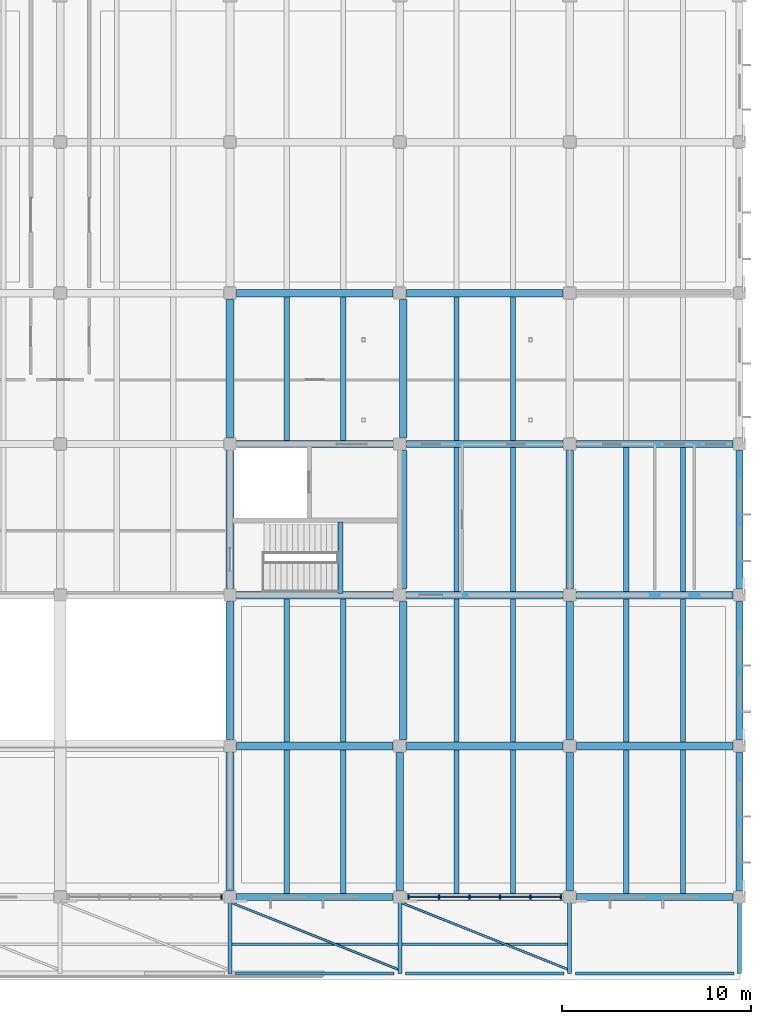
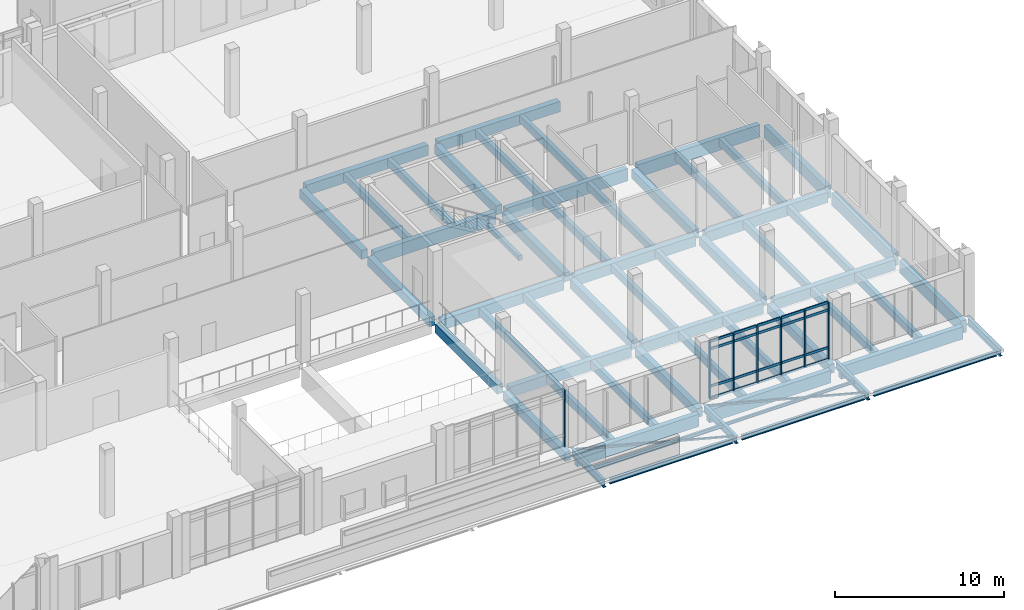
# One storey, part 37 of 110: 58 beams, 29 members, 2 elements without a shape of their own.
"""IFC4 building model written with IfcOpenShell, lengths in metres."""

import ifcopenshell
import ifcopenshell.guid

model = None  # the IFC model being written
_history = None  # IfcOwnerHistory: only IFC2X3 demands one
_inside = {}  # id of a spatial element -> (the spatial element, [elements in it])
_under = {}  # id of a project, library or spatial element -> (it, [spatial elements below it])
_declared = {}  # id of a project -> (the project, [libraries it declares])
_typed = {}  # id of a type object -> (the type object, [elements of that type])
_made_of = {}  # id of a material, layer set ... -> (it, [elements and type objects made of it])


def new_model(schema):
    """Start an empty IFC model of exactly this schema.

    Asked for "IFC4X3", IfcOpenShell would pick the latest addendum, in which some entities
    have other attributes; the version numbers below select the first issue.
    IFC2X3 requires an IfcOwnerHistory on every rooted entity: one is made here for all.
    """
    global model, _history
    if schema == "IFC4X3":
        model = ifcopenshell.file(schema_version=(4, 3, 0, 0))
    else:
        model = ifcopenshell.file(schema=schema)
    _inside.clear()
    _under.clear()
    _declared.clear()
    _typed.clear()
    _made_of.clear()
    _history = None
    if model.schema == "IFC2X3":
        org = make("IfcOrganization", Name="unknown")
        user = make(
            "IfcPersonAndOrganization",
            ThePerson=make("IfcPerson", FamilyName="unknown"),
            TheOrganization=org,
        )
        app = make(
            "IfcApplication",
            ApplicationDeveloper=org,
            Version="unknown",
            ApplicationFullName="unknown",
            ApplicationIdentifier="unknown",
        )
        _history = make(
            "IfcOwnerHistory",
            OwningUser=user,
            OwningApplication=app,
            ChangeAction="ADDED",
            CreationDate=0,
        )
    return model


def make(cls, **values):
    """One entity of the class cls with the attributes given. An attribute that is None is left unset."""
    return model.create_entity(
        cls, **{name: value for name, value in values.items() if value is not None}
    )


def rooted(cls, **values):
    """An entity with a GlobalId (a new one), such as an element, a storey or a relation."""
    return make(cls, GlobalId=ifcopenshell.guid.new(), OwnerHistory=_history, **values)


def si_unit(unit_type, name, prefix=None):
    """IfcSIUnit, for example si_unit("LENGTHUNIT", "METRE", prefix="MILLI")."""
    return make("IfcSIUnit", UnitType=unit_type, Prefix=prefix, Name=name)


def assignment(units):
    """IfcUnitAssignment: the units of a project."""
    return None if units is None else make("IfcUnitAssignment", Units=units)


def point(xyz):
    """IfcCartesianPoint."""
    return None if xyz is None else make("IfcCartesianPoint", Coordinates=xyz)


def direction(xyz):
    """IfcDirection."""
    return None if xyz is None else make("IfcDirection", DirectionRatios=xyz)


def frame(location, z_axis=None, x_axis=None):
    """IfcAxis2Placement3D, a coordinate frame: its origin and axes. An axis left out is left unset."""
    return make(
        "IfcAxis2Placement3D",
        Location=point(location),
        Axis=direction(z_axis),
        RefDirection=direction(x_axis),
    )


def frame_2d(location, x_axis=None):
    """IfcAxis2Placement2D, a coordinate frame in the plane: its origin and x axis."""
    return make(
        "IfcAxis2Placement2D", Location=point(location), RefDirection=direction(x_axis)
    )


def origin():
    """The frame at (0, 0, 0) with its axes left unset."""
    return frame((0.0, 0.0, 0.0))


def origin_2d():
    """The frame at (0, 0) in the plane with its x axis left unset."""
    return frame_2d((0.0, 0.0))


def place(relative_to, where):
    """IfcLocalPlacement: puts the frame where relative to a parent placement (None: the world)."""
    return make(
        "IfcLocalPlacement", PlacementRelTo=relative_to, RelativePlacement=where
    )


def context(
    kind, dimensions, precision=None, world=None, true_north=None, identifier=None
):
    """IfcGeometricRepresentationContext, for example the 3D "Model" context."""
    return make(
        "IfcGeometricRepresentationContext",
        ContextIdentifier=identifier,
        ContextType=kind,
        CoordinateSpaceDimension=dimensions,
        Precision=precision,
        WorldCoordinateSystem=world,
        TrueNorth=true_north,
    )


def subcontext(parent, identifier, kind, view, scale=None):
    """IfcGeometricRepresentationSubContext, for example "Body" below "Model"."""
    return make(
        "IfcGeometricRepresentationSubContext",
        ContextIdentifier=identifier,
        ContextType=kind,
        ParentContext=parent,
        TargetScale=scale,
        TargetView=view,
    )


def project(units=None, contexts=None):
    """IfcProject with its units and contexts."""
    return rooted(
        "IfcProject",
        Name="project",
        RepresentationContexts=contexts,
        UnitsInContext=assignment(units),
    )


def spatial(cls, under=None, at=None, **own):
    """A site, building, storey or space (cls), placed at a placement, below another one or the project."""
    s = rooted(cls, ObjectPlacement=at, **own)
    if under is not None:
        _under.setdefault(under.id(), (under, []))[1].append(s)
    return s


def profile(cls, at=None, kind="AREA", **sizes):
    """A parametric profile (cls). Its sizes go by their IFC names, for example OverallWidth=200.0."""
    return make(cls, ProfileType=kind, Position=at, **sizes)


def rectangle(**sizes):
    """IfcRectangleProfileDef."""
    return profile("IfcRectangleProfileDef", **sizes)


def hollow_rectangle(**sizes):
    """IfcRectangleHollowProfileDef."""
    return profile("IfcRectangleHollowProfileDef", **sizes)


def i_section(**sizes):
    """IfcIShapeProfileDef."""
    return profile("IfcIShapeProfileDef", **sizes)


def extrude(swept, where, along, depth):
    """IfcExtrudedAreaSolid: the profile swept, set in the frame where, extruded along a direction by depth."""
    return make(
        "IfcExtrudedAreaSolid",
        SweptArea=swept,
        Position=where,
        ExtrudedDirection=direction(along),
        Depth=depth,
    )


def shape(context_of_items, identifier, shape_type, items):
    """IfcShapeRepresentation: the items that make up one representation, for example the "Body"."""
    return make(
        "IfcShapeRepresentation",
        ContextOfItems=context_of_items,
        RepresentationIdentifier=identifier,
        RepresentationType=shape_type,
        Items=items,
    )


def material(Name=None, Category=None):
    """IfcMaterial."""
    return make("IfcMaterial", Name=Name, Category=Category)


def layer(
    of_material, thickness, ventilated=None, Name=None, Category=None, Priority=None
):
    """IfcMaterialLayer: one layer of a wall or slab, of a material (None: an air gap)."""
    return make(
        "IfcMaterialLayer",
        Material=of_material,
        LayerThickness=thickness,
        IsVentilated=ventilated,
        Name=Name,
        Category=Category,
        Priority=Priority,
    )


def layer_set(layers, Name=None):
    """IfcMaterialLayerSet."""
    return make("IfcMaterialLayerSet", MaterialLayers=layers, LayerSetName=Name)


def material_profile(
    of_material, cross_section, Name=None, Category=None, Priority=None
):
    """IfcMaterialProfile: a cross section and its material."""
    return make(
        "IfcMaterialProfile",
        Name=Name,
        Material=of_material,
        Profile=cross_section,
        Priority=Priority,
        Category=Category,
    )


def profile_set(profiles, Name=None, composite=None):
    """IfcMaterialProfileSet."""
    return make(
        "IfcMaterialProfileSet",
        Name=Name,
        MaterialProfiles=profiles,
        CompositeProfile=composite,
    )


def made_of(thing, what):
    """Note that an element or type object is made of a material, layer set ...; save() writes the relation."""
    if what is not None:
        _made_of.setdefault(what.id(), (what, []))[1].append(thing)
    return thing


def type_object(cls, material=None, **own):
    """A type object (cls), such as IfcWallType, which elements share."""
    return made_of(rooted(cls, **own), material)


def element(
    cls,
    number,
    at=None,
    inside=None,
    cuts=None,
    type_object=None,
    material=None,
    context=None,
    identifier="Body",
    shape_type=None,
    held_by="IfcProductDefinitionShape",
    body=None,
    shapes=None,
    **own,
):
    """One element of the class cls, such as IfcWall. Its Tag is "e" and its number.

    at: its placement. inside: the storey or other place that contains it. cuts: it is an
    opening in that element (IfcRelVoidsElement). A single representation is given by context,
    identifier, shape_type and body (its items); several are given by shapes. held_by: the class
    of the entity that holds the representations. save() writes the other relations.
    """
    e = rooted(cls, Tag="e%d" % number, ObjectPlacement=at, **own)
    if body is not None:
        shapes = [shape(context, identifier, shape_type, body)]
    if shapes is not None:
        e.Representation = make(held_by, Representations=shapes)
    if inside is not None:
        _inside.setdefault(inside.id(), (inside, []))[1].append(e)
    if cuts is not None:
        rooted(
            "IfcRelVoidsElement", RelatingBuildingElement=cuts, RelatedOpeningElement=e
        )
    if type_object is not None:
        _typed.setdefault(type_object.id(), (type_object, []))[1].append(e)
    return made_of(e, material)


def aggregate(whole, parts):
    """IfcRelAggregates: a whole, such as a stair, and the parts it consists of."""
    return rooted("IfcRelAggregates", RelatingObject=whole, RelatedObjects=parts)


def save(model, path):
    """Write the relations noted so far, then the file.

    IfcRelAggregates (storeys below a building ...), IfcRelContainedInSpatialStructure (elements
    in a storey), IfcRelDefinesByType, IfcRelAssociatesMaterial and IfcRelDeclares: one each for
    every whole, place, type object, material and project.
    """
    for whole, parts in _under.values():
        aggregate(whole, parts)
    for where, things in _inside.values():
        rooted(
            "IfcRelContainedInSpatialStructure",
            RelatedElements=things,
            RelatingStructure=where,
        )
    for kind, things in _typed.values():
        rooted("IfcRelDefinesByType", RelatedObjects=things, RelatingType=kind)
    for what, things in _made_of.values():
        rooted("IfcRelAssociatesMaterial", RelatedObjects=things, RelatingMaterial=what)
    for by, libraries in _declared.values():
        rooted("IfcRelDeclares", RelatingContext=by, RelatedDefinitions=libraries)
    model.write(path)


model = new_model("IFC4")

# Units and contexts
model_context = context("Model", 3, precision=1e-05, world=origin(), true_north=direction((0.0, 1.0)))
body_context = subcontext(model_context, "Body", "Model", "MODEL_VIEW")
ifc_project = project(units=[si_unit("LENGTHUNIT", "METRE"), si_unit("AREAUNIT", "SQUARE_METRE"), si_unit("VOLUMEUNIT", "CUBIC_METRE"), si_unit("PLANEANGLEUNIT", "RADIAN"), si_unit("MASSUNIT", "GRAM", prefix="KILO")], contexts=[model_context])

# Site, building, storey
site_placement = place(None, origin())
site = spatial("IfcSite", under=ifc_project, at=site_placement, CompositionType="ELEMENT")
building_placement = place(site_placement, origin())
building = spatial("IfcBuilding", under=site, at=building_placement, Name="Zacnel Wholesale Market", CompositionType="ELEMENT")
storey_placement = place(building_placement, frame((0.0, 0.0, 6.300048828125)))
storey = spatial("IfcBuildingStorey", under=building, at=storey_placement, Name="L02", CompositionType="ELEMENT", Elevation=6.300048828125)

# Beams
ifc_material_1 = material(Name="Precast concrete C45/55", Category="concrete")
ifc_material_profile_1 = material_profile(ifc_material_1, rectangle(XDim=0.280029296875, YDim=0.550048828125, at=origin_2d()), Name="DT RIB 280x550")
ifc_profile_set_1 = profile_set([ifc_material_profile_1], Name="Precast concrete C45/55")
beam_type_1 = type_object("IfcBeamType", Name="BM-DT550", PredefinedType="JOIST", material=ifc_profile_set_1)
for number, where, z_axis, x_axis, name in (
    (1, (192.0, 0.175048828125, -0.574951171875), (0.0, 1.0, 0.0), (-1.0, 0.0, 0.0), "Precast secondary joist L02-0017"),
    (2, (195.0, 0.175048828125, -0.574951171875), (0.0, 1.0, 0.0), (-1.0, 0.0, 0.0), "Precast secondary joist L02-0018"),
    (3, (201.0, 0.175048828125, -0.574951171875), (0.0, 1.0, 0.0), (-1.0, 0.0, 0.0), "Precast secondary joist L02-0019"),
    (4, (204.0, 0.175048828125, -0.574951171875), (0.0, 1.0, 0.0), (-1.0, 0.0, 0.0), "Precast secondary joist L02-0020"),
    (5, (210.0, 0.175048828125, -0.574951171875), (0.0, 1.0, 0.0), (-1.0, 0.0, 0.0), "Precast secondary joist L02-0021"),
    (6, (213.0, 0.175048828125, -0.574951171875), (0.0, 1.0, 0.0), (-1.0, 0.0, 0.0), "Precast secondary joist L02-0022"),
):
    element("IfcBeam", number, at=place(storey_placement, frame(where, z_axis=z_axis, x_axis=x_axis)), inside=storey, type_object=beam_type_1, Name=name, PredefinedType="JOIST", context=body_context, shape_type="SweptSolid", body=[
        extrude(rectangle(XDim=0.280029296875, YDim=0.550048828125, at=origin_2d()), origin(), (0.0, 0.0, 1.0), 7.625),
    ])
for number, where, z_axis, x_axis, name in (
    (7, (192.0, 8.199951171875, -0.574951171875), (0.0, 1.0, 0.0), (-1.0, 0.0, 0.0), "Precast secondary joist L02-0047"),
    (8, (195.0, 8.199951171875, -0.574951171875), (0.0, 1.0, 0.0), (-1.0, 0.0, 0.0), "Precast secondary joist L02-0048"),
    (9, (201.0, 8.199951171875, -0.574951171875), (0.0, 1.0, 0.0), (-1.0, 0.0, 0.0), "Precast secondary joist L02-0049"),
    (10, (204.0, 8.199951171875, -0.574951171875), (0.0, 1.0, 0.0), (-1.0, 0.0, 0.0), "Precast secondary joist L02-0050"),
    (11, (210.0, 8.199951171875, -0.574951171875), (0.0, 1.0, 0.0), (-1.0, 0.0, 0.0), "Precast secondary joist L02-0051"),
    (12, (213.0, 8.199951171875, -0.574951171875), (0.0, 1.0, 0.0), (-1.0, 0.0, 0.0), "Precast secondary joist L02-0052"),
):
    element("IfcBeam", number, at=place(storey_placement, frame(where, z_axis=z_axis, x_axis=x_axis)), inside=storey, type_object=beam_type_1, Name=name, PredefinedType="JOIST", context=body_context, shape_type="SweptSolid", body=[
        extrude(rectangle(XDim=0.280029296875, YDim=0.550048828125, at=origin_2d()), origin(), (0.0, 0.0, 1.0), 7.60009765625),
    ])
for number, where, z_axis, x_axis, name in (
    (13, (201.0, 16.199951171875, -0.574951171875), (0.0, 1.0, 0.0), (-1.0, 0.0, 0.0), "Precast secondary joist L02-0081"),
    (14, (204.0, 16.199951171875, -0.574951171875), (0.0, 1.0, 0.0), (-1.0, 0.0, 0.0), "Precast secondary joist L02-0082"),
    (15, (210.0, 16.199951171875, -0.574951171875), (0.0, 1.0, 0.0), (-1.0, 0.0, 0.0), "Precast secondary joist L02-0083"),
    (16, (213.0, 16.199951171875, -0.574951171875), (0.0, 1.0, 0.0), (-1.0, 0.0, 0.0), "Precast secondary joist L02-0084"),
    (17, (192.0, 24.175048828125, -0.574951171875), (0.0, 1.0, 0.0), (-1.0, 0.0, 0.0), "Precast secondary joist L02-0109"),
    (18, (195.0, 24.175048828125, -0.574951171875), (0.0, 1.0, 0.0), (-1.0, 0.0, 0.0), "Precast secondary joist L02-0110"),
    (19, (201.0, 24.175048828125, -0.574951171875), (0.0, 1.0, 0.0), (-1.0, 0.0, 0.0), "Precast secondary joist L02-0111"),
    (20, (204.0, 24.175048828125, -0.574951171875), (0.0, 1.0, 0.0), (-1.0, 0.0, 0.0), "Precast secondary joist L02-0112"),
):
    element("IfcBeam", number, at=place(storey_placement, frame(where, z_axis=z_axis, x_axis=x_axis)), inside=storey, type_object=beam_type_1, Name=name, PredefinedType="JOIST", context=body_context, shape_type="SweptSolid", body=[
        extrude(rectangle(XDim=0.280029296875, YDim=0.550048828125, at=origin_2d()), origin(), (0.0, 0.0, 1.0), 7.625),
    ])
ifc_material_2 = material(Name="Precast concrete C45/55", Category="concrete")
ifc_material_profile_2 = material_profile(ifc_material_2, rectangle(XDim=0.25, YDim=0.35009765625, at=origin_2d()), Name="LN 250x350")
ifc_profile_set_2 = profile_set([ifc_material_profile_2], Name="Precast concrete C45/55")
beam_type_2 = type_object("IfcBeamType", Name="BM-LN350", PredefinedType="LINTEL", material=ifc_profile_set_2)
beam_1_placement = place(storey_placement, frame((194.860107421875, 16.080078125, 2.074951171875), z_axis=(0.0, 1.0, 0.0), x_axis=(-1.0, 0.0, 0.0)))
element("IfcBeam", 21, at=beam_1_placement, inside=storey, type_object=beam_type_2, Name="Stair ST-05 half-landing bearing beam", PredefinedType="LINTEL", context=body_context, shape_type="SweptSolid", body=[
    extrude(rectangle(XDim=0.25, YDim=0.35009765625, at=origin_2d()), origin(), (0.0, 0.0, 1.0), 3.7900390625),
])
ifc_material_3 = material(Name="Precast concrete C45/55", Category="concrete")
ifc_material_profile_3 = material_profile(ifc_material_3, rectangle(XDim=0.39990234375, YDim=0.64990234375, at=origin_2d()), Name="PG 400x650")
ifc_profile_set_3 = profile_set([ifc_material_profile_3], Name="Precast concrete C45/55")
beam_type_3 = type_object("IfcBeamType", Name="BM-PG650", PredefinedType="BEAM", material=ifc_profile_set_3)
for number, where, z_axis, x_axis, name in (
    (22, (189.0, 0.35009765625, -0.625), (0.0, 1.0, 0.0), (-1.0, 0.0, 0.0), "Precast girder Y-0513"),
    (23, (189.0, 8.35009765625, -0.625), (0.0, 1.0, 0.0), (-1.0, 0.0, 0.0), "Precast girder Y-0514"),
    (24, (189.0, 16.35009765625, -0.625), (0.0, 1.0, 0.0), (-1.0, 0.0, 0.0), "Precast girder Y-0515"),
    (25, (189.0, 24.35009765625, -0.625), (0.0, 1.0, 0.0), (-1.0, 0.0, 0.0), "Precast girder Y-0516"),
    (26, (198.0, 0.35009765625, -0.625), (0.0, 1.0, 0.0), (-1.0, 0.0, 0.0), "Precast girder Y-0524"),
    (27, (198.179931640625, 8.35009765625, -0.625), (0.0, 1.0, 0.0), (-1.0, 0.0, 0.0), "Precast girder Y-0525"),
    (28, (198.179931640625, 16.35009765625, -0.625), (0.0, 1.0, 0.0), (-1.0, 0.0, 0.0), "Precast girder Y-0526"),
    (29, (198.179931640625, 24.35009765625, -0.625), (0.0, 1.0, 0.0), (-1.0, 0.0, 0.0), "Precast girder Y-0527"),
    (30, (207.0, 0.35009765625, -0.625), (0.0, 1.0, 0.0), (-1.0, 0.0, 0.0), "Precast girder Y-0535"),
    (31, (207.0, 8.35009765625, -0.625), (0.0, 1.0, 0.0), (-1.0, 0.0, 0.0), "Precast girder Y-0536"),
    (32, (207.0, 16.35009765625, -0.625), (0.0, 1.0, 0.0), (-1.0, 0.0, 0.0), "Precast girder Y-0537"),
):
    element("IfcBeam", number, at=place(storey_placement, frame(where, z_axis=z_axis, x_axis=x_axis)), inside=storey, type_object=beam_type_3, Name=name, PredefinedType="BEAM", context=body_context, shape_type="SweptSolid", body=[
        extrude(rectangle(XDim=0.39990234375, YDim=0.64990234375, at=origin_2d()), origin(), (0.0, 0.0, 1.0), 7.2998046875),
    ])
ifc_material_4 = material(Name="Precast concrete C45/55", Category="concrete")
ifc_material_profile_4 = material_profile(ifc_material_4, rectangle(XDim=0.39990234375, YDim=0.75, at=origin_2d()), Name="PG 400x750")
ifc_profile_set_4 = profile_set([ifc_material_profile_4], Name="Precast concrete C45/55")
beam_type_4 = type_object("IfcBeamType", Name="BM-PG750", PredefinedType="BEAM", material=ifc_profile_set_4)
for number, where, z_axis, x_axis, name in (
    (33, (189.35009765625, 8.0, -0.675048828125), (1.0, 0.0, 0.0), (0.0, 1.0, 0.0), "Precast girder X-0028"),
    (34, (198.35009765625, 8.0, -0.675048828125), (1.0, 0.0, 0.0), (0.0, 1.0, 0.0), "Precast girder X-0029"),
    (35, (207.35009765625, 8.0, -0.675048828125), (1.0, 0.0, 0.0), (0.0, 1.0, 0.0), "Precast girder X-0030"),
    (36, (189.35009765625, 16.0, -0.675048828125), (1.0, 0.0, 0.0), (0.0, 1.0, 0.0), "Precast girder X-0046"),
    (37, (198.35009765625, 16.0, -0.675048828125), (1.0, 0.0, 0.0), (0.0, 1.0, 0.0), "Precast girder X-0047"),
    (38, (207.35009765625, 16.0, -0.675048828125), (1.0, 0.0, 0.0), (0.0, 1.0, 0.0), "Precast girder X-0048"),
    (39, (189.35009765625, 32.0, -0.675048828125), (1.0, 0.0, 0.0), (0.0, 1.0, 0.0), "Precast girder X-0091"),
    (40, (198.35009765625, 32.0, -0.675048828125), (1.0, 0.0, 0.0), (0.0, 1.0, 0.0), "Precast girder X-0092"),
):
    element("IfcBeam", number, at=place(storey_placement, frame(where, z_axis=z_axis, x_axis=x_axis)), inside=storey, type_object=beam_type_4, Name=name, PredefinedType="BEAM", context=body_context, shape_type="SweptSolid", body=[
        extrude(rectangle(XDim=0.39990234375, YDim=0.75, at=origin_2d()), origin(), (0.0, 0.0, 1.0), 8.2998046875),
    ])
ifc_material_5 = material(Name="Precast concrete C45/55", Category="concrete")
ifc_material_profile_5 = material_profile(ifc_material_5, rectangle(XDim=0.35009765625, YDim=0.89990234375, at=origin_2d()), Name="SP 350x900")
ifc_profile_set_5 = profile_set([ifc_material_profile_5], Name="Precast concrete C45/55")
beam_type_5 = type_object("IfcBeamType", Name="BM-SP900", PredefinedType="SPANDREL", material=ifc_profile_set_5)
for number, where, z_axis, x_axis, name in (
    (41, (189.35009765625, 0.0, -0.75), (1.0, 0.0, 0.0), (0.0, 1.0, 0.0), "Precast girder X-0011"),
    (42, (198.35009765625, 0.0, -0.75), (1.0, 0.0, 0.0), (0.0, 1.0, 0.0), "Precast girder X-0012"),
    (43, (207.35009765625, 0.0, -0.75), (1.0, 0.0, 0.0), (0.0, 1.0, 0.0), "Precast girder X-0013"),
    (44, (189.35009765625, 24.0, -0.75), (1.0, 0.0, 0.0), (0.0, 1.0, 0.0), "Precast girder X-0070"),
    (45, (198.35009765625, 24.0, -0.75), (1.0, 0.0, 0.0), (0.0, 1.0, 0.0), "Precast girder X-0071"),
    (46, (207.35009765625, 24.0, -0.75), (1.0, 0.0, 0.0), (0.0, 1.0, 0.0), "Precast girder X-0072"),
):
    element("IfcBeam", number, at=place(storey_placement, frame(where, z_axis=z_axis, x_axis=x_axis)), inside=storey, type_object=beam_type_5, Name=name, PredefinedType="SPANDREL", context=body_context, shape_type="SweptSolid", body=[
        extrude(rectangle(XDim=0.35009765625, YDim=0.89990234375, at=origin_2d()), origin(), (0.0, 0.0, 1.0), 8.2998046875),
    ])
for number, where, z_axis, x_axis, name in (
    (47, (216.0, 0.35009765625, -0.75), (0.0, 1.0, 0.0), (-1.0, 0.0, 0.0), "Precast girder Y-0546"),
    (48, (216.0, 8.35009765625, -0.75), (0.0, 1.0, 0.0), (-1.0, 0.0, 0.0), "Precast girder Y-0547"),
    (49, (216.0, 16.35009765625, -0.75), (0.0, 1.0, 0.0), (-1.0, 0.0, 0.0), "Precast girder Y-0548"),
):
    element("IfcBeam", number, at=place(storey_placement, frame(where, z_axis=z_axis, x_axis=x_axis)), inside=storey, type_object=beam_type_5, Name=name, PredefinedType="SPANDREL", context=body_context, shape_type="SweptSolid", body=[
        extrude(rectangle(XDim=0.35009765625, YDim=0.89990234375, at=origin_2d()), origin(), (0.0, 0.0, 1.0), 7.2998046875),
    ])
ifc_material_6 = material(Name="Steel S355", Category="steel")
ifc_material_profile_6 = material_profile(ifc_material_6, i_section(OverallWidth=0.133056640625, OverallDepth=0.20703125, WebThickness=0.005859375, FlangeThickness=0.00830078125, FilletRadius=0.008056640625, at=origin_2d()), Name="W200X26.6")
ifc_profile_set_6 = profile_set([ifc_material_profile_6], Name="Steel S355")
beam_type_6 = type_object("IfcBeamType", Name="BM-STL-W200", PredefinedType="JOIST", material=ifc_profile_set_6)
beam_2_placement = place(storey_placement, frame((198.1044921875, -2.5, 0.220458984375), z_axis=(1.0, 0.0, 0.0), x_axis=(0.0, 1.0, 0.0)))
element("IfcBeam", 50, at=beam_2_placement, inside=storey, type_object=beam_type_6, Name="Boulevard canopy secondary purlin 06", PredefinedType="JOIST", context=body_context, shape_type="SweptSolid", body=[
    extrude(i_section(OverallWidth=0.133056640625, OverallDepth=0.20703125, WebThickness=0.005859375, FlangeThickness=0.00830078125, FilletRadius=0.008056640625, at=origin_2d()), origin(), (0.0, 0.0, 1.0), 8.791015625),
])
ifc_material_7 = material(Name="Steel S355", Category="steel")
ifc_material_profile_7 = material_profile(ifc_material_7, i_section(OverallWidth=0.14599609375, OverallDepth=0.258056640625, WebThickness=0.006103515625, FlangeThickness=0.009033203125, FilletRadius=0.009033203125, at=origin_2d()), Name="W250X32.7")
ifc_profile_set_7 = profile_set([ifc_material_profile_7], Name="Steel S355")
beam_type_7 = type_object("IfcBeamType", Name="BM-STL-W250", PredefinedType="JOIST", material=ifc_profile_set_7)
beam_3_placement = place(storey_placement, frame((189.1044921875, -2.5, 0.195068359375), z_axis=(1.0, 0.0, 0.0), x_axis=(0.0, 1.0, 0.0)))
element("IfcBeam", 51, at=beam_3_placement, inside=storey, type_object=beam_type_7, Name="Boulevard canopy secondary purlin 05", PredefinedType="JOIST", context=body_context, shape_type="SweptSolid", body=[
    extrude(i_section(OverallWidth=0.14599609375, OverallDepth=0.258056640625, WebThickness=0.006103515625, FlangeThickness=0.009033203125, FilletRadius=0.009033203125, at=origin_2d()), origin(), (0.0, 0.0, 1.0), 8.791015625),
])
ifc_material_8 = material(Name="Steel S355", Category="steel")
ifc_material_profile_8 = material_profile(ifc_material_8, i_section(OverallWidth=0.172119140625, OverallDepth=0.35791015625, WebThickness=0.0078125, FlangeThickness=0.01318359375, FilletRadius=0.010986328125, at=origin_2d()), Name="W360X57.8")
ifc_profile_set_8 = profile_set([ifc_material_profile_8], Name="Steel S355")
beam_type_8 = type_object("IfcBeamType", Name="BM-STL-W360", PredefinedType="BEAM", material=ifc_profile_set_8)
for number, where, z_axis, x_axis, name in (
    (52, (189.300048828125, -4.050048828125, 0.14501953125), (1.0, 0.0, 0.0), (0.0, 1.0, 0.0), "Boulevard canopy fascia girder 05"),
    (53, (198.300048828125, -4.050048828125, 0.14501953125), (1.0, 0.0, 0.0), (0.0, 1.0, 0.0), "Boulevard canopy fascia girder 06"),
    (54, (207.300048828125, -4.050048828125, 0.14501953125), (1.0, 0.0, 0.0), (0.0, 1.0, 0.0), "Boulevard canopy end fascia 02"),
):
    element("IfcBeam", number, at=place(storey_placement, frame(where, z_axis=z_axis, x_axis=x_axis)), inside=storey, type_object=beam_type_8, Name=name, PredefinedType="BEAM", context=body_context, shape_type="SweptSolid", body=[
        extrude(i_section(OverallWidth=0.172119140625, OverallDepth=0.35791015625, WebThickness=0.0078125, FlangeThickness=0.01318359375, FilletRadius=0.010986328125, at=origin_2d()), origin(), (0.0, 0.0, 1.0), 8.39990234375),
    ])
ifc_material_9 = material(Name="Steel S355", Category="steel")
ifc_material_profile_9 = material_profile(ifc_material_9, i_section(OverallWidth=0.208984375, OverallDepth=0.532958984375, WebThickness=0.01025390625, FlangeThickness=0.015625, FilletRadius=0.013916015625, at=origin_2d()), Name="W530X92")
ifc_profile_set_9 = profile_set([ifc_material_profile_9], Name="Steel S355")
beam_type_9 = type_object("IfcBeamType", Name="BM-STL-W530", PredefinedType="BEAM", material=ifc_profile_set_9)
for number, where, z_axis, x_axis, name in (
    (55, (189.0, -0.14990234375, 0.057373046875), (0.0, -1.0, 0.0), (1.0, 0.0, 0.0), "Boulevard canopy steel girder 05"),
    (56, (198.0, -0.14990234375, 0.057373046875), (0.0, -1.0, 0.0), (1.0, 0.0, 0.0), "Boulevard canopy steel girder 06"),
    (57, (207.0, -0.14990234375, 0.057373046875), (0.0, -1.0, 0.0), (1.0, 0.0, 0.0), "Boulevard canopy steel girder 07"),
    (58, (216.0, -0.14990234375, 0.057373046875), (0.0, -1.0, 0.0), (1.0, 0.0, 0.0), "Boulevard canopy end girder 02"),
):
    element("IfcBeam", number, at=place(storey_placement, frame(where, z_axis=z_axis, x_axis=x_axis)), inside=storey, type_object=beam_type_9, Name=name, PredefinedType="BEAM", context=body_context, shape_type="SweptSolid", body=[
        extrude(i_section(OverallWidth=0.208984375, OverallDepth=0.532958984375, WebThickness=0.01025390625, FlangeThickness=0.015625, FilletRadius=0.013916015625, at=origin_2d()), origin(), (0.0, 0.0, 1.0), 3.900146484375),
    ])

# Curtain wall, member
ifc_material_10 = material(Name="Anodised aluminium", Category="aluminium")
ifc_layer = layer(ifc_material_10, 0.179931640625)
ifc_layer_set = layer_set([ifc_layer], Name="Anodised aluminium")
curtain_wall_type = type_object("IfcCurtainWallType", Name="CW-BLVD-5400", PredefinedType="NOTDEFINED", material=ifc_layer_set)
curtain_wall_1_placement = place(storey_placement, origin())
curtain_wall_1 = element("IfcCurtainWall", 59, at=curtain_wall_1_placement, inside=storey, type_object=curtain_wall_type, Name="Curtain wall ENV-R2-CW-L02-018", PredefinedType="NOTDEFINED")
ifc_material_11 = material(Name="Anodised aluminium", Category="aluminium")
ifc_material_profile_10 = material_profile(ifc_material_11, rectangle(XDim=0.074951171875, YDim=0.219970703125, at=origin_2d()), Name="AW-MULLION 75x220")
ifc_profile_set_10 = profile_set([ifc_material_profile_10], Name="Anodised aluminium")
member_type_1 = type_object("IfcMemberType", Name="CWM-MUL-01", PredefinedType="MULLION", material=ifc_profile_set_10)
member_1_placement = place(storey_placement, frame((188.550048828125, 0.0, 0.449951171875), z_axis=(0.0, 0.0, 1.0), x_axis=(1.0, 0.0, 0.0)))
member_1 = element("IfcMember", 60, at=member_1_placement, type_object=member_type_1, Name="ENV-R2-CW-L02-018 mullion 06", PredefinedType="MULLION", context=body_context, shape_type="SweptSolid", body=[
    extrude(rectangle(XDim=0.074951171875, YDim=0.219970703125, at=origin_2d()), origin(), (0.0, 0.0, 1.0), 4.10009765625),
])
aggregate(curtain_wall_1, [member_1])

# Curtain wall, members
curtain_wall_2_placement = place(storey_placement, origin())
curtain_wall_2 = element("IfcCurtainWall", 61, at=curtain_wall_2_placement, inside=storey, type_object=curtain_wall_type, Name="Curtain wall ENV-R2-CW-L02-019", PredefinedType="NOTDEFINED")
member_2_placement = place(storey_placement, frame((198.449951171875, 0.0, 0.449951171875), z_axis=(0.0, 0.0, 1.0), x_axis=(1.0, 0.0, 0.0)))
member_2 = element("IfcMember", 62, at=member_2_placement, type_object=member_type_1, Name="ENV-R2-CW-L02-019 mullion 01", PredefinedType="MULLION", context=body_context, shape_type="SweptSolid", body=[
    extrude(rectangle(XDim=0.074951171875, YDim=0.219970703125, at=origin_2d()), origin(), (0.0, 0.0, 1.0), 4.10009765625),
])
member_3_placement = place(storey_placement, frame((200.070068359375, 0.0, 0.449951171875), z_axis=(0.0, 0.0, 1.0), x_axis=(1.0, 0.0, 0.0)))
member_3 = element("IfcMember", 63, at=member_3_placement, type_object=member_type_1, Name="ENV-R2-CW-L02-019 mullion 02", PredefinedType="MULLION", context=body_context, shape_type="SweptSolid", body=[
    extrude(rectangle(XDim=0.074951171875, YDim=0.219970703125, at=origin_2d()), origin(), (0.0, 0.0, 1.0), 4.10009765625),
])
member_4_placement = place(storey_placement, frame((201.68994140625, 0.0, 0.449951171875), z_axis=(0.0, 0.0, 1.0), x_axis=(1.0, 0.0, 0.0)))
member_4 = element("IfcMember", 64, at=member_4_placement, type_object=member_type_1, Name="ENV-R2-CW-L02-019 mullion 03", PredefinedType="MULLION", context=body_context, shape_type="SweptSolid", body=[
    extrude(rectangle(XDim=0.074951171875, YDim=0.219970703125, at=origin_2d()), origin(), (0.0, 0.0, 1.0), 4.10009765625),
])
member_5_placement = place(storey_placement, frame((203.31005859375, 0.0, 0.449951171875), z_axis=(0.0, 0.0, 1.0), x_axis=(1.0, 0.0, 0.0)))
member_5 = element("IfcMember", 65, at=member_5_placement, type_object=member_type_1, Name="ENV-R2-CW-L02-019 mullion 04", PredefinedType="MULLION", context=body_context, shape_type="SweptSolid", body=[
    extrude(rectangle(XDim=0.074951171875, YDim=0.219970703125, at=origin_2d()), origin(), (0.0, 0.0, 1.0), 4.10009765625),
])
member_6_placement = place(storey_placement, frame((204.929931640625, 0.0, 0.449951171875), z_axis=(0.0, 0.0, 1.0), x_axis=(1.0, 0.0, 0.0)))
member_6 = element("IfcMember", 66, at=member_6_placement, type_object=member_type_1, Name="ENV-R2-CW-L02-019 mullion 05", PredefinedType="MULLION", context=body_context, shape_type="SweptSolid", body=[
    extrude(rectangle(XDim=0.074951171875, YDim=0.219970703125, at=origin_2d()), origin(), (0.0, 0.0, 1.0), 4.10009765625),
])
member_7_placement = place(storey_placement, frame((206.550048828125, 0.0, 0.449951171875), z_axis=(0.0, 0.0, 1.0), x_axis=(1.0, 0.0, 0.0)))
member_7 = element("IfcMember", 67, at=member_7_placement, type_object=member_type_1, Name="ENV-R2-CW-L02-019 mullion 06", PredefinedType="MULLION", context=body_context, shape_type="SweptSolid", body=[
    extrude(rectangle(XDim=0.074951171875, YDim=0.219970703125, at=origin_2d()), origin(), (0.0, 0.0, 1.0), 4.10009765625),
])
ifc_material_12 = material(Name="Anodised aluminium", Category="aluminium")
ifc_material_profile_11 = material_profile(ifc_material_12, rectangle(XDim=0.074951171875, YDim=0.179931640625, at=origin_2d()), Name="AW-TRANSOM 75x180")
ifc_profile_set_11 = profile_set([ifc_material_profile_11], Name="Anodised aluminium")
member_type_2 = type_object("IfcMemberType", Name="CWM-TRN-01", PredefinedType="USERDEFINED", material=ifc_profile_set_11)
member_8_placement = place(storey_placement, frame((198.485107421875, 0.0, 0.449951171875), z_axis=(1.0, 0.0, 0.0), x_axis=(0.0, 1.0, 0.0)))
member_8 = element("IfcMember", 68, at=member_8_placement, type_object=member_type_2, Name="ENV-R2-CW-L02-019 transom 1-1", ObjectType="TRANSOM", PredefinedType="USERDEFINED", context=body_context, shape_type="SweptSolid", body=[
    extrude(rectangle(XDim=0.074951171875, YDim=0.179931640625, at=origin_2d()), origin(), (0.0, 0.0, 1.0), 1.5498046875),
])
member_9_placement = place(storey_placement, frame((198.485107421875, 0.0, 1.300048828125), z_axis=(1.0, 0.0, 0.0), x_axis=(0.0, 1.0, 0.0)))
member_9 = element("IfcMember", 69, at=member_9_placement, type_object=member_type_2, Name="ENV-R2-CW-L02-019 transom 1-2", ObjectType="TRANSOM", PredefinedType="USERDEFINED", context=body_context, shape_type="SweptSolid", body=[
    extrude(rectangle(XDim=0.074951171875, YDim=0.179931640625, at=origin_2d()), origin(), (0.0, 0.0, 1.0), 1.5498046875),
])
member_10_placement = place(storey_placement, frame((198.485107421875, 0.0, 4.0), z_axis=(1.0, 0.0, 0.0), x_axis=(0.0, 1.0, 0.0)))
member_10 = element("IfcMember", 70, at=member_10_placement, type_object=member_type_2, Name="ENV-R2-CW-L02-019 transom 1-3", ObjectType="TRANSOM", PredefinedType="USERDEFINED", context=body_context, shape_type="SweptSolid", body=[
    extrude(rectangle(XDim=0.074951171875, YDim=0.179931640625, at=origin_2d()), origin(), (0.0, 0.0, 1.0), 1.5498046875),
])
member_11_placement = place(storey_placement, frame((198.485107421875, 0.0, 4.550048828125), z_axis=(1.0, 0.0, 0.0), x_axis=(0.0, 1.0, 0.0)))
member_11 = element("IfcMember", 71, at=member_11_placement, type_object=member_type_2, Name="ENV-R2-CW-L02-019 transom 1-4", ObjectType="TRANSOM", PredefinedType="USERDEFINED", context=body_context, shape_type="SweptSolid", body=[
    extrude(rectangle(XDim=0.074951171875, YDim=0.179931640625, at=origin_2d()), origin(), (0.0, 0.0, 1.0), 1.5498046875),
])
member_12_placement = place(storey_placement, frame((200.10498046875, 0.0, 0.449951171875), z_axis=(1.0, 0.0, 0.0), x_axis=(0.0, 1.0, 0.0)))
member_12 = element("IfcMember", 72, at=member_12_placement, type_object=member_type_2, Name="ENV-R2-CW-L02-019 transom 2-1", ObjectType="TRANSOM", PredefinedType="USERDEFINED", context=body_context, shape_type="SweptSolid", body=[
    extrude(rectangle(XDim=0.074951171875, YDim=0.179931640625, at=origin_2d()), origin(), (0.0, 0.0, 1.0), 1.550048828125),
])
member_13_placement = place(storey_placement, frame((200.10498046875, 0.0, 1.300048828125), z_axis=(1.0, 0.0, 0.0), x_axis=(0.0, 1.0, 0.0)))
member_13 = element("IfcMember", 73, at=member_13_placement, type_object=member_type_2, Name="ENV-R2-CW-L02-019 transom 2-2", ObjectType="TRANSOM", PredefinedType="USERDEFINED", context=body_context, shape_type="SweptSolid", body=[
    extrude(rectangle(XDim=0.074951171875, YDim=0.179931640625, at=origin_2d()), origin(), (0.0, 0.0, 1.0), 1.550048828125),
])
member_14_placement = place(storey_placement, frame((200.10498046875, 0.0, 4.0), z_axis=(1.0, 0.0, 0.0), x_axis=(0.0, 1.0, 0.0)))
member_14 = element("IfcMember", 74, at=member_14_placement, type_object=member_type_2, Name="ENV-R2-CW-L02-019 transom 2-3", ObjectType="TRANSOM", PredefinedType="USERDEFINED", context=body_context, shape_type="SweptSolid", body=[
    extrude(rectangle(XDim=0.074951171875, YDim=0.179931640625, at=origin_2d()), origin(), (0.0, 0.0, 1.0), 1.550048828125),
])
member_15_placement = place(storey_placement, frame((200.10498046875, 0.0, 4.550048828125), z_axis=(1.0, 0.0, 0.0), x_axis=(0.0, 1.0, 0.0)))
member_15 = element("IfcMember", 75, at=member_15_placement, type_object=member_type_2, Name="ENV-R2-CW-L02-019 transom 2-4", ObjectType="TRANSOM", PredefinedType="USERDEFINED", context=body_context, shape_type="SweptSolid", body=[
    extrude(rectangle(XDim=0.074951171875, YDim=0.179931640625, at=origin_2d()), origin(), (0.0, 0.0, 1.0), 1.550048828125),
])
member_16_placement = place(storey_placement, frame((201.72509765625, 0.0, 0.449951171875), z_axis=(1.0, 0.0, 0.0), x_axis=(0.0, 1.0, 0.0)))
member_16 = element("IfcMember", 76, at=member_16_placement, type_object=member_type_2, Name="ENV-R2-CW-L02-019 transom 3-1", ObjectType="TRANSOM", PredefinedType="USERDEFINED", context=body_context, shape_type="SweptSolid", body=[
    extrude(rectangle(XDim=0.074951171875, YDim=0.179931640625, at=origin_2d()), origin(), (0.0, 0.0, 1.0), 1.5498046875),
])
member_17_placement = place(storey_placement, frame((201.72509765625, 0.0, 1.300048828125), z_axis=(1.0, 0.0, 0.0), x_axis=(0.0, 1.0, 0.0)))
member_17 = element("IfcMember", 77, at=member_17_placement, type_object=member_type_2, Name="ENV-R2-CW-L02-019 transom 3-2", ObjectType="TRANSOM", PredefinedType="USERDEFINED", context=body_context, shape_type="SweptSolid", body=[
    extrude(rectangle(XDim=0.074951171875, YDim=0.179931640625, at=origin_2d()), origin(), (0.0, 0.0, 1.0), 1.5498046875),
])
member_18_placement = place(storey_placement, frame((201.72509765625, 0.0, 4.0), z_axis=(1.0, 0.0, 0.0), x_axis=(0.0, 1.0, 0.0)))
member_18 = element("IfcMember", 78, at=member_18_placement, type_object=member_type_2, Name="ENV-R2-CW-L02-019 transom 3-3", ObjectType="TRANSOM", PredefinedType="USERDEFINED", context=body_context, shape_type="SweptSolid", body=[
    extrude(rectangle(XDim=0.074951171875, YDim=0.179931640625, at=origin_2d()), origin(), (0.0, 0.0, 1.0), 1.5498046875),
])
member_19_placement = place(storey_placement, frame((201.72509765625, 0.0, 4.550048828125), z_axis=(1.0, 0.0, 0.0), x_axis=(0.0, 1.0, 0.0)))
member_19 = element("IfcMember", 79, at=member_19_placement, type_object=member_type_2, Name="ENV-R2-CW-L02-019 transom 3-4", ObjectType="TRANSOM", PredefinedType="USERDEFINED", context=body_context, shape_type="SweptSolid", body=[
    extrude(rectangle(XDim=0.074951171875, YDim=0.179931640625, at=origin_2d()), origin(), (0.0, 0.0, 1.0), 1.5498046875),
])
member_20_placement = place(storey_placement, frame((203.344970703125, 0.0, 0.449951171875), z_axis=(1.0, 0.0, 0.0), x_axis=(0.0, 1.0, 0.0)))
member_20 = element("IfcMember", 80, at=member_20_placement, type_object=member_type_2, Name="ENV-R2-CW-L02-019 transom 4-1", ObjectType="TRANSOM", PredefinedType="USERDEFINED", context=body_context, shape_type="SweptSolid", body=[
    extrude(rectangle(XDim=0.074951171875, YDim=0.179931640625, at=origin_2d()), origin(), (0.0, 0.0, 1.0), 1.550048828125),
])
member_21_placement = place(storey_placement, frame((203.344970703125, 0.0, 1.300048828125), z_axis=(1.0, 0.0, 0.0), x_axis=(0.0, 1.0, 0.0)))
member_21 = element("IfcMember", 81, at=member_21_placement, type_object=member_type_2, Name="ENV-R2-CW-L02-019 transom 4-2", ObjectType="TRANSOM", PredefinedType="USERDEFINED", context=body_context, shape_type="SweptSolid", body=[
    extrude(rectangle(XDim=0.074951171875, YDim=0.179931640625, at=origin_2d()), origin(), (0.0, 0.0, 1.0), 1.550048828125),
])
member_22_placement = place(storey_placement, frame((203.344970703125, 0.0, 4.0), z_axis=(1.0, 0.0, 0.0), x_axis=(0.0, 1.0, 0.0)))
member_22 = element("IfcMember", 82, at=member_22_placement, type_object=member_type_2, Name="ENV-R2-CW-L02-019 transom 4-3", ObjectType="TRANSOM", PredefinedType="USERDEFINED", context=body_context, shape_type="SweptSolid", body=[
    extrude(rectangle(XDim=0.074951171875, YDim=0.179931640625, at=origin_2d()), origin(), (0.0, 0.0, 1.0), 1.550048828125),
])
member_23_placement = place(storey_placement, frame((203.344970703125, 0.0, 4.550048828125), z_axis=(1.0, 0.0, 0.0), x_axis=(0.0, 1.0, 0.0)))
member_23 = element("IfcMember", 83, at=member_23_placement, type_object=member_type_2, Name="ENV-R2-CW-L02-019 transom 4-4", ObjectType="TRANSOM", PredefinedType="USERDEFINED", context=body_context, shape_type="SweptSolid", body=[
    extrude(rectangle(XDim=0.074951171875, YDim=0.179931640625, at=origin_2d()), origin(), (0.0, 0.0, 1.0), 1.550048828125),
])
member_24_placement = place(storey_placement, frame((204.965087890625, 0.0, 0.449951171875), z_axis=(1.0, 0.0, 0.0), x_axis=(0.0, 1.0, 0.0)))
member_24 = element("IfcMember", 84, at=member_24_placement, type_object=member_type_2, Name="ENV-R2-CW-L02-019 transom 5-1", ObjectType="TRANSOM", PredefinedType="USERDEFINED", context=body_context, shape_type="SweptSolid", body=[
    extrude(rectangle(XDim=0.074951171875, YDim=0.179931640625, at=origin_2d()), origin(), (0.0, 0.0, 1.0), 1.5498046875),
])
member_25_placement = place(storey_placement, frame((204.965087890625, 0.0, 1.300048828125), z_axis=(1.0, 0.0, 0.0), x_axis=(0.0, 1.0, 0.0)))
member_25 = element("IfcMember", 85, at=member_25_placement, type_object=member_type_2, Name="ENV-R2-CW-L02-019 transom 5-2", ObjectType="TRANSOM", PredefinedType="USERDEFINED", context=body_context, shape_type="SweptSolid", body=[
    extrude(rectangle(XDim=0.074951171875, YDim=0.179931640625, at=origin_2d()), origin(), (0.0, 0.0, 1.0), 1.5498046875),
])
member_26_placement = place(storey_placement, frame((204.965087890625, 0.0, 4.0), z_axis=(1.0, 0.0, 0.0), x_axis=(0.0, 1.0, 0.0)))
member_26 = element("IfcMember", 86, at=member_26_placement, type_object=member_type_2, Name="ENV-R2-CW-L02-019 transom 5-3", ObjectType="TRANSOM", PredefinedType="USERDEFINED", context=body_context, shape_type="SweptSolid", body=[
    extrude(rectangle(XDim=0.074951171875, YDim=0.179931640625, at=origin_2d()), origin(), (0.0, 0.0, 1.0), 1.5498046875),
])
member_27_placement = place(storey_placement, frame((204.965087890625, 0.0, 4.550048828125), z_axis=(1.0, 0.0, 0.0), x_axis=(0.0, 1.0, 0.0)))
member_27 = element("IfcMember", 87, at=member_27_placement, type_object=member_type_2, Name="ENV-R2-CW-L02-019 transom 5-4", ObjectType="TRANSOM", PredefinedType="USERDEFINED", context=body_context, shape_type="SweptSolid", body=[
    extrude(rectangle(XDim=0.074951171875, YDim=0.179931640625, at=origin_2d()), origin(), (0.0, 0.0, 1.0), 1.5498046875),
])
aggregate(curtain_wall_2, [member_2, member_3, member_4, member_5, member_6, member_7, member_8, member_9, member_10, member_11, member_12, member_13, member_14, member_15, member_16, member_17, member_18, member_19, member_20, member_21, member_22, member_23, member_24, member_25, member_26, member_27])

# Members
ifc_material_13 = material(Name="Steel S355", Category="steel")
ifc_material_profile_12 = material_profile(ifc_material_13, hollow_rectangle(XDim=0.1201171875, YDim=0.1201171875, WallThickness=0.00634765625, InnerFilletRadius=0.006103515625, OuterFilletRadius=0.011962890625, at=origin_2d()), Name="HSS 120x120x6.3")
ifc_profile_set_12 = profile_set([ifc_material_profile_12], Name="Steel S355")
member_type_3 = type_object("IfcMemberType", Name="MEM-BRC-HSS120", PredefinedType="BRACE", material=ifc_profile_set_12)
for number, where, z_axis, x_axis, name in (
    (88, (189.06005859375, -0.300048828125, 0.25), (0.92854533956, -0.371219008648, 0.0), (0.371219008648, 0.92854533956, 0.0), "Boulevard canopy plan brace 05"),
    (89, (198.06005859375, -0.300048828125, 0.25), (0.92854533956, -0.371219008648, 0.0), (0.371219008648, 0.92854533956, 0.0), "Boulevard canopy plan brace 06"),
):
    element("IfcMember", number, at=place(storey_placement, frame(where, z_axis=z_axis, x_axis=x_axis)), inside=storey, type_object=member_type_3, Name=name, PredefinedType="BRACE", context=body_context, shape_type="SweptSolid", body=[
        extrude(hollow_rectangle(XDim=0.1201171875, YDim=0.1201171875, WallThickness=0.00634765625, InnerFilletRadius=0.006103515625, OuterFilletRadius=0.011962890625, at=origin_2d()), origin(), (0.0, 0.0, 1.0), 9.563232421875),
    ])

save(model, "model.ifc")
